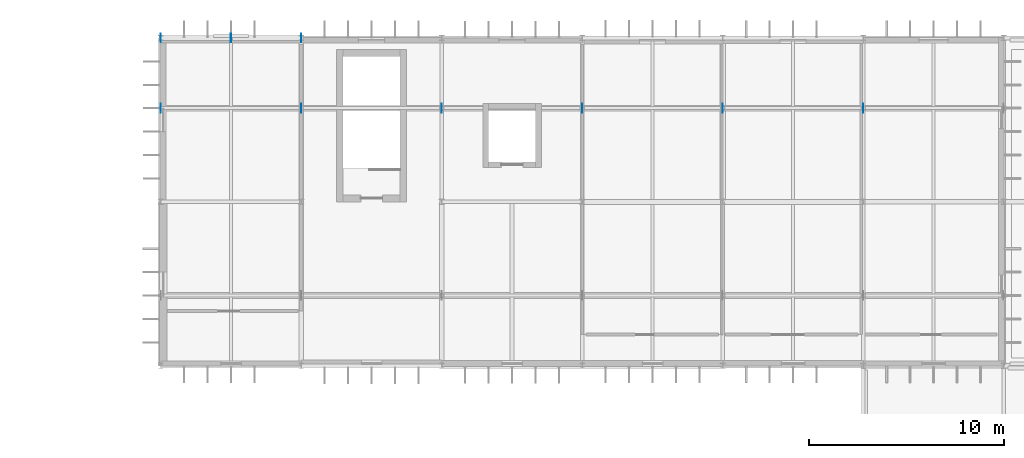
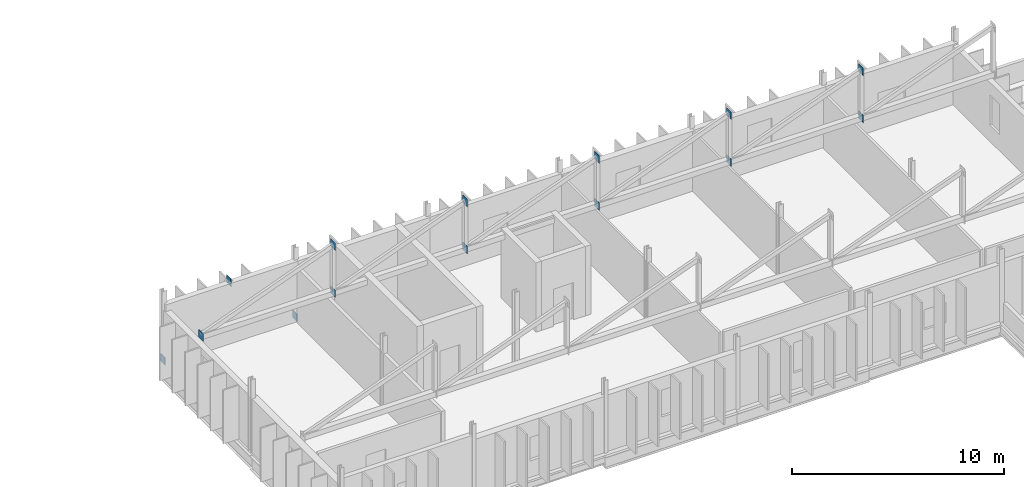
# One storey, part 35 of 52: 14 plates.
"""IFC4 building model written with IfcOpenShell, lengths in metres."""

from ifc_helpers import new_model, si_unit, direction, frame, origin, origin_2d, place, context, subcontext, project, spatial, rectangle, extrude, material, layer, layer_set, type_object, element, save


model = new_model("IFC4")

# Units and contexts
model_context = context("Model", 3, precision=1e-05, world=origin(), true_north=direction((0.0, 1.0)))
body_context = subcontext(model_context, "Body", "Model", "MODEL_VIEW")
ifc_project = project(units=[si_unit("LENGTHUNIT", "METRE"), si_unit("AREAUNIT", "SQUARE_METRE"), si_unit("VOLUMEUNIT", "CUBIC_METRE"), si_unit("PLANEANGLEUNIT", "RADIAN"), si_unit("MASSUNIT", "GRAM", prefix="KILO")], contexts=[model_context])

# Site, building, storey
site_placement = place(None, origin())
site = spatial("IfcSite", under=ifc_project, at=site_placement, CompositionType="ELEMENT")
building_placement = place(site_placement, origin())
building = spatial("IfcBuilding", under=site, at=building_placement, Name="Qelthora Terrace Specialist Clinic", CompositionType="ELEMENT")
storey_placement = place(building_placement, frame((0.0, 0.0, 17.39990234375)))
storey = spatial("IfcBuildingStorey", under=building, at=storey_placement, Name="L04", CompositionType="ELEMENT", Elevation=17.39990234375)

# Plates
ifc_material = material(Name="Steel S355", Category="steel")
ifc_layer_1 = layer(ifc_material, 0.011962890625)
ifc_layer_set_1 = layer_set([ifc_layer_1], Name="Steel S355")
plate_type_1 = type_object("IfcPlateType", Name="PLT-CAP-360X360X12", PredefinedType="USERDEFINED", material=ifc_layer_set_1)
for number, where, z_axis, x_axis, name in (
    (1, (57.60009765625, 105.60009765625, 3.530029296875), (0.0, 0.0, 1.0), (1.0, 0.0, 0.0), "Steel truss node plate GPLT-0120"),
    (2, (64.800048828125, 105.60009765625, 6.240234375), (0.0, 0.0, 1.0), (1.0, 0.0, 0.0), "Steel truss node plate GPLT-0121"),
    (3, (64.800048828125, 105.60009765625, 3.530029296875), (0.0, 0.0, 1.0), (1.0, 0.0, 0.0), "Steel truss node plate GPLT-0122"),
    (4, (72.0, 105.60009765625, 6.240234375), (0.0, 0.0, 1.0), (1.0, 0.0, 0.0), "Steel truss node plate GPLT-0125"),
    (5, (72.0, 105.60009765625, 3.530029296875), (0.0, 0.0, 1.0), (1.0, 0.0, 0.0), "Steel truss node plate GPLT-0126"),
    (6, (79.199951171875, 105.60009765625, 6.240234375), (0.0, 0.0, 1.0), (1.0, 0.0, 0.0), "Steel truss node plate GPLT-0129"),
    (7, (79.199951171875, 105.60009765625, 3.530029296875), (0.0, 0.0, 1.0), (1.0, 0.0, 0.0), "Steel truss node plate GPLT-0130"),
    (8, (86.39990234375, 105.60009765625, 6.240234375), (0.0, 0.0, 1.0), (1.0, 0.0, 0.0), "Steel truss node plate GPLT-0133"),
    (9, (86.39990234375, 105.60009765625, 3.530029296875), (0.0, 0.0, 1.0), (1.0, 0.0, 0.0), "Steel truss node plate GPLT-0134"),
    (10, (93.60009765625, 105.60009765625, 6.240234375), (0.0, 0.0, 1.0), (1.0, 0.0, 0.0), "Steel truss node plate GPLT-0137"),
    (11, (93.60009765625, 105.60009765625, 3.530029296875), (0.0, 0.0, 1.0), (1.0, 0.0, 0.0), "Steel truss node plate GPLT-0138"),
):
    element("IfcPlate", number, at=place(storey_placement, frame(where, z_axis=z_axis, x_axis=x_axis)), inside=storey, type_object=plate_type_1, Name=name, ObjectType="GUSSET PLATE", PredefinedType="USERDEFINED", context=body_context, shape_type="SweptSolid", body=[
        extrude(rectangle(XDim=0.011962890625, YDim=0.43994140625, at=origin_2d()), origin(), (0.0, 0.0, 1.0), 0.43994140625),
    ])
ifc_layer_2 = layer(ifc_material, 0.02001953125)
ifc_layer_set_2 = layer_set([ifc_layer_2], Name="Steel S355")
plate_type_2 = type_object("IfcPlateType", Name="PLT-GUS-480X480X20", PredefinedType="USERDEFINED", material=ifc_layer_set_2)
for number, where, z_axis, x_axis, name in (
    (12, (57.60009765625, 109.199951171875, -0.039794921875), (0.0, 0.0, 1.0), (1.0, 0.0, 0.0), "Steel truss node plate GPLT-0200"),
    (13, (61.199951171875, 109.199951171875, 3.230224609375), (0.0, 0.0, 1.0), (1.0, 0.0, 0.0), "Steel truss node plate GPLT-0201"),
    (14, (64.800048828125, 109.199951171875, -0.039794921875), (0.0, 0.0, 1.0), (1.0, 0.0, 0.0), "Steel truss node plate GPLT-0202"),
):
    element("IfcPlate", number, at=place(storey_placement, frame(where, z_axis=z_axis, x_axis=x_axis)), inside=storey, type_object=plate_type_2, Name=name, ObjectType="GUSSET PLATE", PredefinedType="USERDEFINED", context=body_context, shape_type="SweptSolid", body=[
        extrude(rectangle(XDim=0.02001953125, YDim=0.43994140625, at=origin_2d()), origin(), (0.0, 0.0, 1.0), 0.43994140625),
    ])

save(model, "model.ifc")
